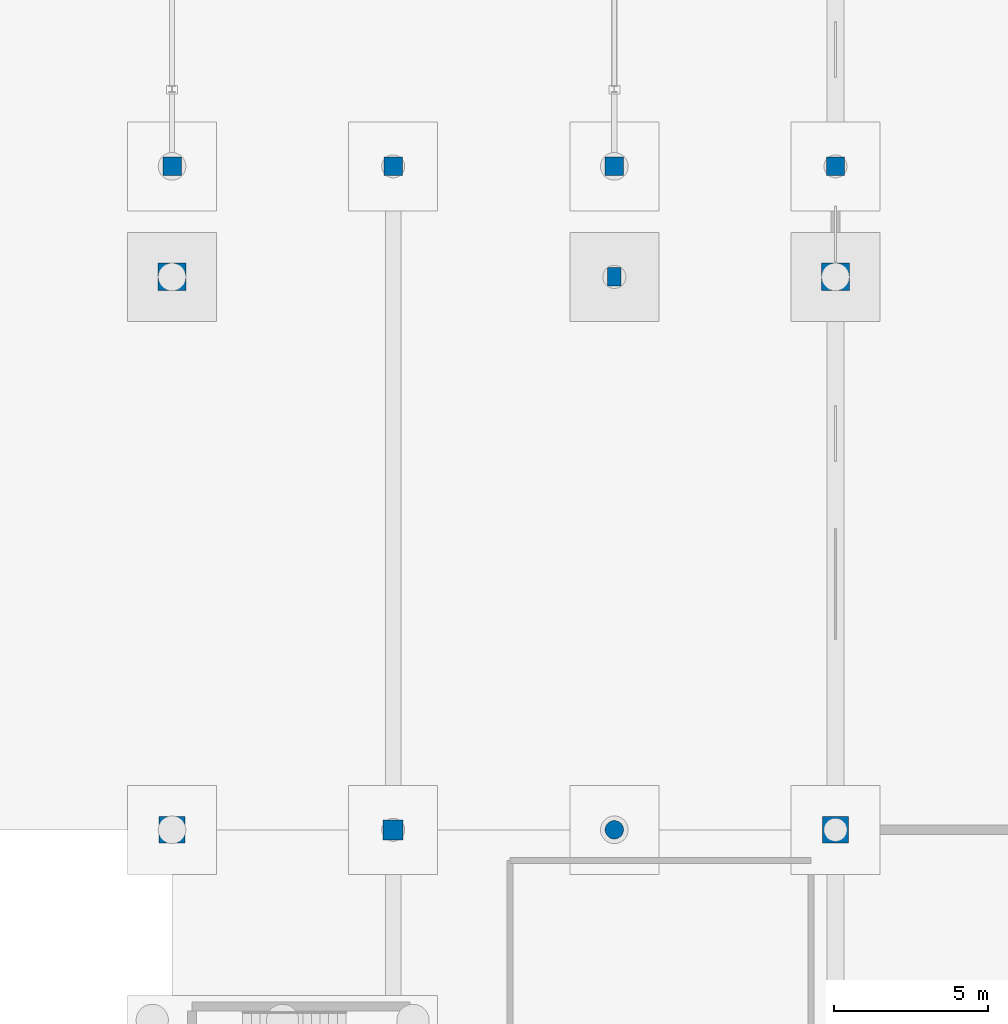
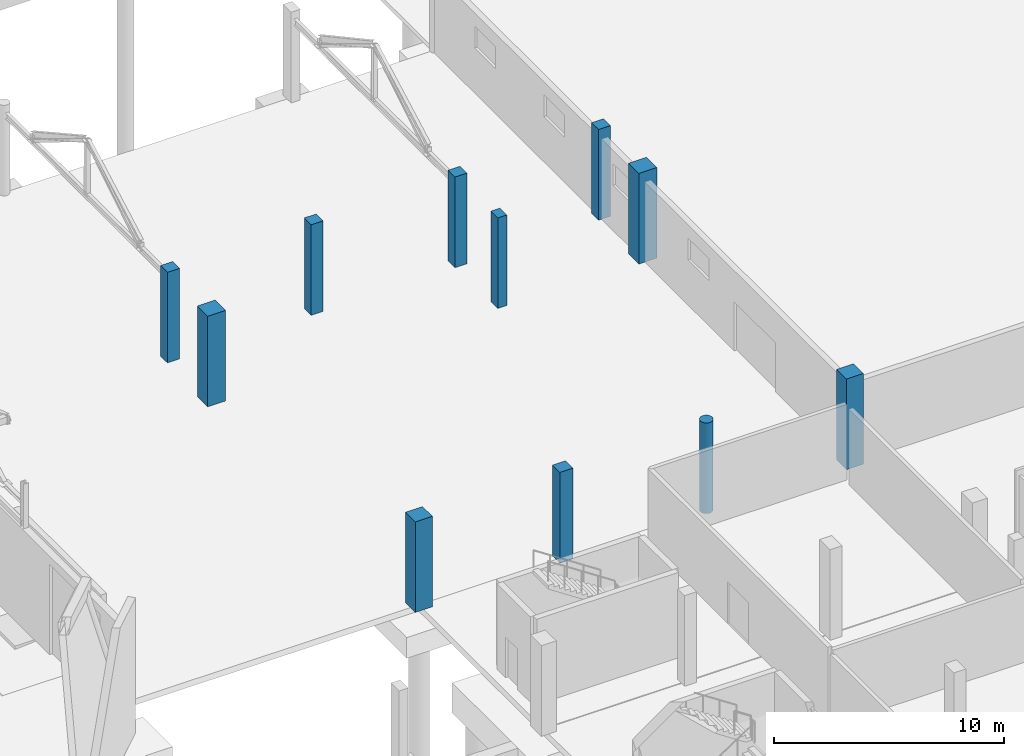
# One storey, part 31 of 285: 11 columns.
"""IFC4 building model written with IfcOpenShell, lengths in metres."""

from ifc_helpers import new_model, si_unit, direction, frame, origin, origin_2d, place, context, subcontext, project, spatial, rectangle, circle, extrude, material, material_profile, profile_set, type_object, element, save


model = new_model("IFC4")

# Units and contexts
model_context = context("Model", 3, precision=1e-05, world=origin(), true_north=direction((0.0, 1.0)))
body_context = subcontext(model_context, "Body", "Model", "MODEL_VIEW")
ifc_project = project(units=[si_unit("LENGTHUNIT", "METRE"), si_unit("AREAUNIT", "SQUARE_METRE"), si_unit("VOLUMEUNIT", "CUBIC_METRE"), si_unit("PLANEANGLEUNIT", "RADIAN"), si_unit("MASSUNIT", "GRAM", prefix="KILO")], contexts=[model_context])

# Site, building, storey
site_placement = place(None, origin())
site = spatial("IfcSite", under=ifc_project, at=site_placement, CompositionType="ELEMENT")
building_placement = place(site_placement, origin())
building = spatial("IfcBuilding", under=site, at=building_placement, Name="Solanera Park Tramway Depot", CompositionType="ELEMENT")
storey_placement = place(building_placement, origin())
storey = spatial("IfcBuildingStorey", under=building, at=storey_placement, Name="L00", CompositionType="ELEMENT", Elevation=0.0)

# Columns
ifc_material_1 = material(Name="Concrete N40 (C40/50)", Category="concrete")
ifc_material_profile_1 = material_profile(ifc_material_1, rectangle(XDim=0.60009765625, YDim=0.60009765625, at=origin_2d()), Name="RC 600x600")
ifc_profile_set_1 = profile_set([ifc_material_profile_1], Name="Concrete N40 (C40/50)")
column_type_1 = type_object("IfcColumnType", Name="RC Column Ext RC 600x600", PredefinedType="COLUMN", material=ifc_profile_set_1)
for number, where, z_axis, x_axis, name in (
    (1, (165.60009765625, 86.39990234375, 0.0), (0.0, 0.0, 1.0), (1.0, 0.0, 0.0), "L00 Column V4N86-X1656"),
    (2, (172.800048828125, 86.39990234375, 0.0), (0.0, 0.0, 1.0), (1.0, 0.0, 0.0), "L00 Column V4N86-X1728"),
    (3, (180.0, 86.39990234375, 0.0), (0.0, 0.0, 1.0), (1.0, 0.0, 0.0), "L00 Column V4N86-X1800"),
    (4, (187.199951171875, 86.39990234375, 0.0), (0.0, 0.0, 1.0), (1.0, 0.0, 0.0), "L00 Column V4N86-X1872"),
):
    element("IfcColumn", number, at=place(storey_placement, frame(where, z_axis=z_axis, x_axis=x_axis)), inside=storey, type_object=column_type_1, Name=name, PredefinedType="COLUMN", context=body_context, shape_type="SweptSolid", body=[
        extrude(rectangle(XDim=0.60009765625, YDim=0.60009765625, at=origin_2d()), origin(), (0.0, 0.0, 1.0), 4.800048828125),
    ])
ifc_material_2 = material(Name="Concrete N40 (C40/50)", Category="concrete")
ifc_material_profile_2 = material_profile(ifc_material_2, rectangle(XDim=0.85009765625, YDim=0.85009765625, at=origin_2d()), Name="RC 850x850")
ifc_profile_set_2 = profile_set([ifc_material_profile_2], Name="Concrete N40 (C40/50)")
column_type_2 = type_object("IfcColumnType", Name="RC Column Ext RC 850x850", PredefinedType="COLUMN", material=ifc_profile_set_2)
column_1_placement = place(storey_placement, frame((187.199951171875, 64.800048828125, 0.0), z_axis=(0.0, 0.0, 1.0), x_axis=(1.0, 0.0, 0.0)))
element("IfcColumn", 5, at=column_1_placement, inside=storey, type_object=column_type_2, Name="L00 Column V4-X1872-Y648", PredefinedType="COLUMN", context=body_context, shape_type="SweptSolid", body=[
    extrude(rectangle(XDim=0.85009765625, YDim=0.85009765625, at=origin_2d()), origin(), (0.0, 0.0, 1.0), 4.800048828125),
])
ifc_material_3 = material(Name="Concrete N40 (C40/50)", Category="concrete")
ifc_material_profile_3 = material_profile(ifc_material_3, rectangle(XDim=0.89990234375, YDim=0.89990234375, at=origin_2d()), Name="RC 900x900")
ifc_profile_set_3 = profile_set([ifc_material_profile_3], Name="Concrete N40 (C40/50)")
column_type_3 = type_object("IfcColumnType", Name="RC Column Ext RC 900x900", PredefinedType="COLUMN", material=ifc_profile_set_3)
column_2_placement = place(storey_placement, frame((187.199951171875, 82.800048828125, 0.0), z_axis=(0.0, 0.0, 1.0), x_axis=(1.0, 0.0, 0.0)))
element("IfcColumn", 6, at=column_2_placement, inside=storey, type_object=column_type_3, Name="L00 Column V4-X1872-Y828", PredefinedType="COLUMN", context=body_context, shape_type="SweptSolid", body=[
    extrude(rectangle(XDim=0.89990234375, YDim=0.89990234375, at=origin_2d()), origin(), (0.0, 0.0, 1.0), 4.800048828125),
])
ifc_material_4 = material(Name="Concrete N40 (C40/50)", Category="concrete")
ifc_material_profile_4 = material_profile(ifc_material_4, rectangle(XDim=0.449951171875, YDim=0.60009765625, at=origin_2d()), Name="RC 450x600")
ifc_profile_set_4 = profile_set([ifc_material_profile_4], Name="Concrete N40 (C40/50)")
column_type_4 = type_object("IfcColumnType", Name="RC Column Int RC 450x600", PredefinedType="COLUMN", material=ifc_profile_set_4)
column_3_placement = place(storey_placement, frame((180.0, 82.800048828125, 0.0), z_axis=(0.0, 0.0, 1.0), x_axis=(1.0, 0.0, 0.0)))
element("IfcColumn", 7, at=column_3_placement, inside=storey, type_object=column_type_4, Name="L00 Column V4-X1800-Y828", PredefinedType="COLUMN", context=body_context, shape_type="SweptSolid", body=[
    extrude(rectangle(XDim=0.449951171875, YDim=0.60009765625, at=origin_2d()), origin(), (0.0, 0.0, 1.0), 4.800048828125),
])
ifc_material_5 = material(Name="Concrete N40 (C40/50)", Category="concrete")
ifc_material_profile_5 = material_profile(ifc_material_5, rectangle(XDim=0.64990234375, YDim=0.64990234375, at=origin_2d()), Name="RC 650x650")
ifc_profile_set_5 = profile_set([ifc_material_profile_5], Name="Concrete N40 (C40/50)")
column_type_5 = type_object("IfcColumnType", Name="RC Column Int RC 650x650", PredefinedType="COLUMN", material=ifc_profile_set_5)
column_4_placement = place(storey_placement, frame((172.800048828125, 64.800048828125, 0.0), z_axis=(0.0, 0.0, 1.0), x_axis=(1.0, 0.0, 0.0)))
element("IfcColumn", 8, at=column_4_placement, inside=storey, type_object=column_type_5, Name="L00 Column V4-X1728-Y648", PredefinedType="COLUMN", context=body_context, shape_type="SweptSolid", body=[
    extrude(rectangle(XDim=0.64990234375, YDim=0.64990234375, at=origin_2d()), origin(), (0.0, 0.0, 1.0), 4.800048828125),
])
ifc_material_6 = material(Name="Concrete N40 (C40/50)", Category="concrete")
ifc_material_profile_6 = material_profile(ifc_material_6, rectangle(XDim=0.85009765625, YDim=0.85009765625, at=origin_2d()), Name="RC 850x850")
ifc_profile_set_6 = profile_set([ifc_material_profile_6], Name="Concrete N40 (C40/50)")
column_type_6 = type_object("IfcColumnType", Name="RC Column Int RC 850x850", PredefinedType="COLUMN", material=ifc_profile_set_6)
column_5_placement = place(storey_placement, frame((165.60009765625, 64.800048828125, 0.0), z_axis=(0.0, 0.0, 1.0), x_axis=(1.0, 0.0, 0.0)))
element("IfcColumn", 9, at=column_5_placement, inside=storey, type_object=column_type_6, Name="L00 Column V4-X1656-Y648", PredefinedType="COLUMN", context=body_context, shape_type="SweptSolid", body=[
    extrude(rectangle(XDim=0.85009765625, YDim=0.85009765625, at=origin_2d()), origin(), (0.0, 0.0, 1.0), 4.800048828125),
])
ifc_material_7 = material(Name="Concrete N40 (C40/50)", Category="concrete")
ifc_material_profile_7 = material_profile(ifc_material_7, rectangle(XDim=0.89990234375, YDim=0.89990234375, at=origin_2d()), Name="RC 900x900")
ifc_profile_set_7 = profile_set([ifc_material_profile_7], Name="Concrete N40 (C40/50)")
column_type_7 = type_object("IfcColumnType", Name="RC Column Int RC 900x900", PredefinedType="COLUMN", material=ifc_profile_set_7)
column_6_placement = place(storey_placement, frame((165.60009765625, 82.800048828125, 0.0), z_axis=(0.0, 0.0, 1.0), x_axis=(1.0, 0.0, 0.0)))
element("IfcColumn", 10, at=column_6_placement, inside=storey, type_object=column_type_7, Name="L00 Column V4-X1656-Y828", PredefinedType="COLUMN", context=body_context, shape_type="SweptSolid", body=[
    extrude(rectangle(XDim=0.89990234375, YDim=0.89990234375, at=origin_2d()), origin(), (0.0, 0.0, 1.0), 4.800048828125),
])
ifc_material_8 = material(Name="Concrete N40 (C40/50)", Category="concrete")
ifc_material_profile_8 = material_profile(ifc_material_8, circle(Radius=0.300048828125, at=origin_2d()), Name="RC D600")
ifc_profile_set_8 = profile_set([ifc_material_profile_8], Name="Concrete N40 (C40/50)")
column_type_8 = type_object("IfcColumnType", Name="RC Column Int RC D600", PredefinedType="COLUMN", material=ifc_profile_set_8)
column_7_placement = place(storey_placement, frame((180.0, 64.800048828125, 0.0), z_axis=(0.0, 0.0, 1.0), x_axis=(1.0, 0.0, 0.0)))
element("IfcColumn", 11, at=column_7_placement, inside=storey, type_object=column_type_8, Name="L00 Column V4-X1800-Y648", PredefinedType="COLUMN", context=body_context, shape_type="SweptSolid", body=[
    extrude(circle(Radius=0.300048828125, at=origin_2d()), origin(), (0.0, 0.0, 1.0), 4.800048828125),
])

save(model, "model.ifc")
